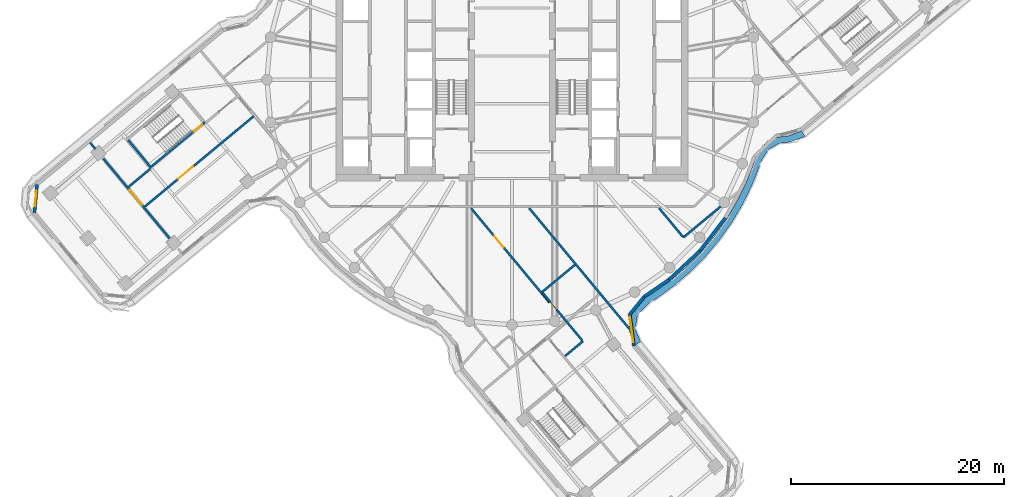
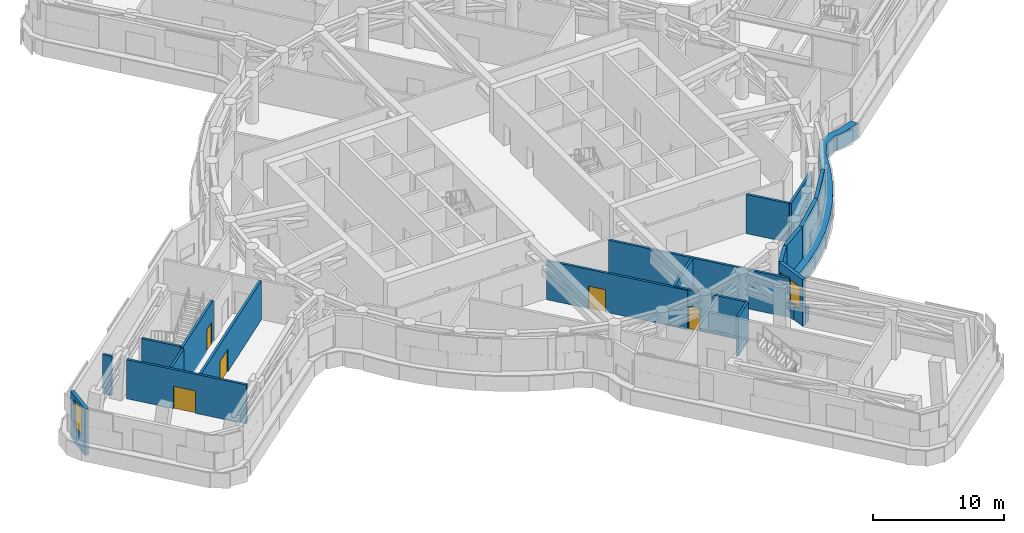
# One storey, part 8 of 22: 19 walls, 5 doors, 2 windows, 1 member, 7 openings.
"""IFC4 building model written with IfcOpenShell, lengths in metres."""

from ifc_helpers import new_model, si_unit, direction, frame, frame_2d, origin, place, context, subcontext, project, spatial, polyline, rectangle, outline, extrude, material, layer, layer_set, type_object, element, fill, aggregate, save


model = new_model("IFC4")

# Units and contexts
model_context = context("Model", 3, precision=1e-05, world=origin(), true_north=direction((0.0, 1.0)))
body_context = subcontext(model_context, "Body", "Model", "MODEL_VIEW")
ifc_project = project(units=[si_unit("LENGTHUNIT", "METRE"), si_unit("AREAUNIT", "SQUARE_METRE"), si_unit("VOLUMEUNIT", "CUBIC_METRE"), si_unit("PLANEANGLEUNIT", "RADIAN"), si_unit("MASSUNIT", "GRAM", prefix="KILO")], contexts=[model_context])

# Member
ifc_material_1 = material(Name="Aluminium and insulated spandrel panel", Category="aluminium")
member_type = type_object("IfcMemberType", Name="Floor-edge blade transom", PredefinedType="USERDEFINED", material=ifc_material_1)
site_placement = place(None, origin())
building_placement = place(site_placement, origin())
storey_placement = place(building_placement, frame((0.0, 0.0, 178.0)))
member_placement = place(storey_placement, origin())
member = element("IfcMember", 1, at=member_placement, type_object=member_type, Name="CWT-L44-06", ObjectType="TRANSOM", PredefinedType="USERDEFINED", context=body_context, shape_type="SweptSolid", body=[
    extrude(outline(polyline([(11.555419921875, -24.895263671875), (11.05517578125, -23.729248046875), (10.989990234375, -23.177490234375), (11.180419921875, -22.070556640625), (11.426025390625, -21.572021484375), (12.508544921875, -20.46044921875), (13.2109375, -20.031982421875), (14.820068359375, -18.87255859375), (16.327880859375, -17.584228515625), (17.72412109375, -16.17578125), (18.99951171875, -14.656982421875), (20.14501953125, -13.0380859375), (21.15283203125, -11.329833984375), (22.01611328125, -9.54443359375), (22.703857421875, -7.7724609375), (22.8828125, -7.268798828125), (23.691162109375, -6.056640625), (24.85693359375, -5.391357421875), (25.955322265625, -5.250732421875), (27.18896484375, -4.7900390625), (27.494140625, -5.316650390625), (26.100341796875, -5.837158203125), (25.051025390625, -5.971435546875), (24.11181640625, -6.50732421875), (23.42333984375, -7.539794921875), (23.266357421875, -7.9814453125), (22.566650390625, -9.783935546875), (21.68212890625, -11.613525390625), (20.64892578125, -13.3642578125), (19.474853515625, -15.023681640625), (18.167724609375, -16.580810546875), (16.736572265625, -18.0244140625), (15.19091796875, -19.344970703125), (13.54296875, -20.5322265625), (12.885498046875, -20.93310546875), (11.922119140625, -21.922607421875), (11.757080078125, -22.2578125), (11.59619140625, -23.193359375), (11.640869140625, -23.572509765625), (12.072998046875, -24.57958984375), (11.555419921875, -24.895263671875)])), origin(), (0.0, 0.0, 1.0), 1.39990234375),
])

# Site, building, storey
site = spatial("IfcSite", under=ifc_project, at=site_placement, CompositionType="ELEMENT")
building = spatial("IfcBuilding", under=site, at=building_placement, Name="Tamarind Cross Interchange Tower", CompositionType="ELEMENT")
storey = spatial("IfcBuildingStorey", under=building, at=storey_placement, Name="L44", CompositionType="ELEMENT", Elevation=178.0)

# Wall
ifc_material_2 = material(Name="Gypsum board partition on steel studs", Category="steel")
ifc_layer_1 = layer(ifc_material_2, 0.199951171875)
ifc_layer_set_1 = layer_set([ifc_layer_1], Name="Gypsum board partition on steel studs")
wall_type_1 = type_object("IfcWallType", Name="Partition 200 mm EI 180", PredefinedType="PARTITIONING", material=ifc_layer_set_1)
wall_1_placement = place(storey_placement, frame((-39.589111328125, -5.89697265625, 0.0), z_axis=(0.0, 0.0, 1.0), x_axis=(0.638794795344, -0.769377156823, 0.0)))
element("IfcWall", 2, at=wall_1_placement, inside=storey, type_object=wall_type_1, Name="Partition L44-001", PredefinedType="PARTITIONING", context=body_context, shape_type="SweptSolid", body=[
    extrude(rectangle(XDim=0.760986328125, YDim=0.199951171875, at=frame_2d((0.38037109375, 0.0))), origin(), (0.0, 0.0, 1.0), 3.659912109375),
])

# Wall, opening, door
wall_2_placement = place(storey_placement, frame((-38.34716796875, -7.392822265625, 0.0), z_axis=(0.0, 0.0, 1.0), x_axis=(0.638809774068, -0.769364720114, 0.0)))
wall_2 = element("IfcWall", 3, at=wall_2_placement, inside=storey, type_object=wall_type_1, Name="Partition L44-002", PredefinedType="PARTITIONING", context=body_context, shape_type="SweptSolid", body=[
    extrude(rectangle(XDim=9.8251953125, YDim=0.199951171875, at=frame_2d((4.91259765625, 0.0))), origin(), (0.0, 0.0, 1.0), 3.659912109375),
])
opening_1_placement = place(wall_2_placement, frame((3.8544921875, 0.0, 0.0)))
opening_1 = element("IfcOpeningElement", 4, at=opening_1_placement, cuts=wall_2, Name="Opening D01", PredefinedType="OPENING", context=body_context, shape_type="SweptSolid", body=[
    extrude(rectangle(XDim=1.800048828125, YDim=2.10009765625, at=frame_2d((0.89990234375, 1.050048828125))), frame((0.0, 0.10986328125, 0.0), z_axis=(0.0, -1.0, 0.0), x_axis=(1.0, 0.0, 0.0)), (0.0, 0.0, 1.0), 0.219970703125),
])
ifc_material_3 = material(Name="Fire-resisting door set")
door_type_1 = type_object("IfcDoorType", Name="Interior door 1800 x 2100 FD120S", OperationType="DOUBLE_DOOR_SINGLE_SWING", PredefinedType="DOOR", material=ifc_material_3)
door_1_placement = place(opening_1_placement, frame((1.800048828125, 0.0, 0.0), z_axis=(0.0, 0.0, 1.0), x_axis=(-1.0, 0.0, 0.0)))
door_1 = element("IfcDoor", 5, at=door_1_placement, inside=storey, type_object=door_type_1, Name="Door D01", OperationType="DOUBLE_DOOR_SINGLE_SWING", OverallHeight=2.10009765625, OverallWidth=1.800048828125, PredefinedType="DOOR", context=body_context, shape_type="SweptSolid", body=[
    extrude(rectangle(XDim=1.800048828125, YDim=2.10009765625, at=frame_2d((0.89990234375, 1.050048828125))), frame((0.0, 0.02490234375, 0.0), z_axis=(0.0, -1.0, 0.0), x_axis=(1.0, 0.0, 0.0)), (0.0, 0.0, 1.0), 0.050048828125),
])
fill(opening_1, door_1)

wall_3_placement = place(storey_placement, frame((-3.845703125, -12.046142578125, 0.0), z_axis=(0.0, 0.0, 1.0), x_axis=(0.638815290813, -0.769360139482, 0.0)))
wall_3 = element("IfcWall", 6, at=wall_3_placement, inside=storey, type_object=wall_type_1, Name="Partition L44-015", PredefinedType="PARTITIONING", context=body_context, shape_type="SweptSolid", body=[
    extrude(rectangle(XDim=11.5146484375, YDim=0.199951171875, at=frame_2d((5.75732421875, 0.0))), origin(), (0.0, 0.0, 1.0), 3.659912109375),
])
opening_2_placement = place(wall_3_placement, frame((3.409912109375, 0.0, 0.0)))
opening_2 = element("IfcOpeningElement", 7, at=opening_2_placement, cuts=wall_3, Name="Opening D08", PredefinedType="OPENING", context=body_context, shape_type="SweptSolid", body=[
    extrude(rectangle(XDim=1.39990234375, YDim=2.10009765625, at=frame_2d((0.699951171875, 1.050048828125))), frame((0.0, 0.10986328125, 0.0), z_axis=(0.0, -1.0, 0.0), x_axis=(1.0, 0.0, 0.0)), (0.0, 0.0, 1.0), 0.219970703125),
])
door_type_2 = type_object("IfcDoorType", Name="Interior door 1400 x 2100 FD120S", OperationType="DOUBLE_DOOR_SINGLE_SWING", PredefinedType="DOOR", material=ifc_material_3)
door_2_placement = place(opening_2_placement, origin())
door_2 = element("IfcDoor", 8, at=door_2_placement, inside=storey, type_object=door_type_2, Name="Door D08", OperationType="DOUBLE_DOOR_SINGLE_SWING", OverallHeight=2.10009765625, OverallWidth=1.39990234375, PredefinedType="DOOR", context=body_context, shape_type="SweptSolid", body=[
    extrude(rectangle(XDim=1.39990234375, YDim=2.10009765625, at=frame_2d((0.699951171875, 1.050048828125))), frame((0.0, 0.02490234375, 0.0), z_axis=(0.0, -1.0, 0.0), x_axis=(1.0, 0.0, 0.0)), (0.0, 0.0, 1.0), 0.050048828125),
])
fill(opening_2, door_2)

# Wall
wall_4_placement = place(storey_placement, frame((1.61328125, -12.046142578125, 0.0), z_axis=(0.0, 0.0, 1.0), x_axis=(0.638827392593, -0.769350090968, 0.0)))
element("IfcWall", 9, at=wall_4_placement, inside=storey, type_object=wall_type_1, Name="Partition L44-019", PredefinedType="PARTITIONING", context=body_context, shape_type="SweptSolid", body=[
    extrude(rectangle(XDim=14.804931640625, YDim=0.199951171875, at=frame_2d((7.40234375, 0.0))), origin(), (0.0, 0.0, 1.0), 3.659912109375),
])

# Wall, opening, door
wall_5_placement = place(storey_placement, frame((2.8720703125, -19.9794921875, 0.0), z_axis=(0.0, 0.0, 1.0), x_axis=(0.638623217881, -0.769519581026, 0.0)))
wall_5 = element("IfcWall", 10, at=wall_5_placement, inside=storey, type_object=wall_type_1, Name="Partition L44-022", PredefinedType="PARTITIONING", context=body_context, shape_type="SweptSolid", body=[
    extrude(rectangle(XDim=5.8193359375, YDim=0.199951171875, at=frame_2d((2.90966796875, 0.0))), origin(), (0.0, 0.0, 1.0), 3.659912109375),
])
opening_3_placement = place(wall_5_placement, frame((1.1689453125, 0.0, 0.0)))
opening_3 = element("IfcOpeningElement", 11, at=opening_3_placement, cuts=wall_5, Name="Opening D12", PredefinedType="OPENING", context=body_context, shape_type="SweptSolid", body=[
    extrude(rectangle(XDim=0.89990234375, YDim=2.10009765625, at=frame_2d((0.449951171875, 1.050048828125))), frame((0.0, 0.10986328125, 0.0), z_axis=(0.0, -1.0, 0.0), x_axis=(1.0, 0.0, 0.0)), (0.0, 0.0, 1.0), 0.219970703125),
])
door_type_3 = type_object("IfcDoorType", Name="Interior door 900 x 2100 FD120S", OperationType="SINGLE_SWING_LEFT", PredefinedType="DOOR", material=ifc_material_3)
door_3_placement = place(opening_3_placement, origin())
door_3 = element("IfcDoor", 12, at=door_3_placement, inside=storey, type_object=door_type_3, Name="Door D12", OperationType="SINGLE_SWING_RIGHT", OverallHeight=2.10009765625, OverallWidth=0.89990234375, PredefinedType="DOOR", context=body_context, shape_type="SweptSolid", body=[
    extrude(rectangle(XDim=0.89990234375, YDim=2.10009765625, at=frame_2d((0.449951171875, 1.050048828125))), frame((0.0, 0.02490234375, 0.0), z_axis=(0.0, -1.0, 0.0), x_axis=(1.0, 0.0, 0.0)), (0.0, 0.0, 1.0), 0.050048828125),
])
fill(opening_3, door_3)

# Walls
wall_6_placement = place(storey_placement, frame((13.805419921875, -12.046142578125, 0.0), z_axis=(0.0, 0.0, 1.0), x_axis=(0.638867992046, -0.769316377532, 0.0)))
element("IfcWall", 13, at=wall_6_placement, inside=storey, type_object=wall_type_1, Name="Partition L44-026", PredefinedType="PARTITIONING", context=body_context, shape_type="SweptSolid", body=[
    extrude(rectangle(XDim=3.48681640625, YDim=0.199951171875, at=frame_2d((1.743408203125, 0.0))), origin(), (0.0, 0.0, 1.0), 3.659912109375),
])
wall_7_placement = place(storey_placement, frame((-35.984619140625, -10.05126953125, 0.0), z_axis=(0.0, 0.0, 1.0), x_axis=(0.769364441254, 0.638810109918, 0.0)))
element("IfcWall", 14, at=wall_7_placement, inside=storey, type_object=wall_type_1, Name="Partition L44-036", PredefinedType="PARTITIONING", context=body_context, shape_type="SweptSolid", body=[
    extrude(rectangle(XDim=2.640380859375, YDim=0.199951171875, at=frame_2d((1.3203125, 0.0))), origin(), (0.0, 0.0, 1.0), 3.659912109375),
])

# Wall, opening, door
wall_8_placement = place(storey_placement, frame((-34.45166015625, -11.8974609375, 0.0), z_axis=(0.0, 0.0, 1.0), x_axis=(0.769410395732, 0.638754759622, 0.0)))
wall_8 = element("IfcWall", 15, at=wall_8_placement, inside=storey, type_object=wall_type_1, Name="Partition L44-038", PredefinedType="PARTITIONING", context=body_context, shape_type="SweptSolid", body=[
    extrude(rectangle(XDim=13.280029296875, YDim=0.199951171875, at=frame_2d((6.64013671875, 0.0))), origin(), (0.0, 0.0, 1.0), 3.659912109375),
])
opening_4_placement = place(wall_8_placement, frame((4.080078125, 0.0, 0.0)))
opening_4 = element("IfcOpeningElement", 16, at=opening_4_placement, cuts=wall_8, Name="Opening D24", PredefinedType="OPENING", context=body_context, shape_type="SweptSolid", body=[
    extrude(rectangle(XDim=1.800048828125, YDim=2.10009765625, at=frame_2d((0.89990234375, 1.050048828125))), frame((0.0, 0.10986328125, 0.0), z_axis=(0.0, -1.0, 0.0), x_axis=(1.0, 0.0, 0.0)), (0.0, 0.0, 1.0), 0.219970703125),
])
door_4_placement = place(opening_4_placement, frame((1.800048828125, 0.0, 0.0), z_axis=(0.0, 0.0, 1.0), x_axis=(-1.0, 0.0, 0.0)))
door_4 = element("IfcDoor", 17, at=door_4_placement, inside=storey, type_object=door_type_1, Name="Door D24", OperationType="DOUBLE_DOOR_SINGLE_SWING", OverallHeight=2.10009765625, OverallWidth=1.800048828125, PredefinedType="DOOR", context=body_context, shape_type="SweptSolid", body=[
    extrude(rectangle(XDim=1.800048828125, YDim=2.10009765625, at=frame_2d((0.89990234375, 1.050048828125))), frame((0.0, 0.02490234375, 0.0), z_axis=(0.0, -1.0, 0.0), x_axis=(1.0, 0.0, 0.0)), (0.0, 0.0, 1.0), 0.050048828125),
])
fill(opening_4, door_4)

# Walls
wall_9_placement = place(storey_placement, frame((2.82177734375, -19.9189453125, 0.0), z_axis=(0.0, 0.0, 1.0), x_axis=(0.769480632916, 0.638670146137, 0.0)))
element("IfcWall", 18, at=wall_9_placement, inside=storey, type_object=wall_type_1, Name="Partition L44-051", PredefinedType="PARTITIONING", context=body_context, shape_type="SweptSolid", body=[
    extrude(rectangle(XDim=3.99951171875, YDim=0.199951171875, at=frame_2d((1.999755859375, 0.0))), origin(), (0.0, 0.0, 1.0), 3.659912109375),
])
wall_10_placement = place(storey_placement, frame((4.9609375, -25.939208984375, 0.0), z_axis=(0.0, 0.0, 1.0), x_axis=(0.769302832242, 0.638884302753, 0.0)))
element("IfcWall", 19, at=wall_10_placement, inside=storey, type_object=wall_type_1, Name="Partition L44-054", PredefinedType="PARTITIONING", context=body_context, shape_type="SweptSolid", body=[
    extrude(rectangle(XDim=2.199462890625, YDim=0.199951171875, at=frame_2d((1.099609375, 0.0))), origin(), (0.0, 0.0, 1.0), 3.659912109375),
])
wall_11_placement = place(storey_placement, frame((16.083984375, -14.7900390625, 0.0), z_axis=(0.0, 0.0, 1.0), x_axis=(0.769412364041, 0.638752388693, 0.0)))
element("IfcWall", 20, at=wall_11_placement, inside=storey, type_object=wall_type_1, Name="Partition L44-059", PredefinedType="PARTITIONING", context=body_context, shape_type="SweptSolid", body=[
    extrude(rectangle(XDim=4.564697265625, YDim=0.199951171875, at=frame_2d((2.2822265625, 0.0))), origin(), (0.0, 0.0, 1.0), 3.659912109375),
])

# Wall, opening, window
ifc_material_4 = material(Name="Precast concrete C40", Category="concrete")
ifc_layer_2 = layer(ifc_material_4, 0.300048828125)
ifc_layer_set_2 = layer_set([ifc_layer_2], Name="Precast concrete C40")
wall_type_2 = type_object("IfcWallType", Name="Plant louvre wall", PredefinedType="SOLIDWALL", material=ifc_layer_set_2)
wall_12_placement = place(storey_placement, frame((11.426025390625, -24.97412109375, 0.0), z_axis=(0.0, 0.0, 1.0), x_axis=(-0.131008347573, 0.991381265138, 0.0)))
wall_12 = element("IfcWall", 21, at=wall_12_placement, inside=storey, type_object=wall_type_2, Name="EXW-L44-06-00", PredefinedType="SOLIDWALL", context=body_context, shape_type="SweptSolid", body=[
    extrude(rectangle(XDim=2.97607421875, YDim=0.300048828125, at=frame_2d((1.488037109375, 0.0))), origin(), (0.0, 0.0, 1.0), 4.360107421875),
])
opening_5_placement = place(wall_12_placement, frame((0.35009765625, 0.0, 1.39990234375)))
opening_5 = element("IfcOpeningElement", 22, at=opening_5_placement, cuts=wall_12, Name="Opening W3", PredefinedType="OPENING", context=body_context, shape_type="SweptSolid", body=[
    extrude(rectangle(XDim=2.39990234375, YDim=2.10009765625, at=frame_2d((1.199951171875, 1.050048828125))), frame((0.0, 0.159912109375, 0.0), z_axis=(0.0, -1.0, 0.0), x_axis=(1.0, 0.0, 0.0)), (0.0, 0.0, 1.0), 0.320068359375),
])
ifc_material_5 = material(Name="Aluminium and fire-resisting glass", Category="aluminium")
window_type_1 = type_object("IfcWindowType", Name="Refuge rescue window", PartitioningType="DOUBLE_PANEL_VERTICAL", PredefinedType="WINDOW", material=ifc_material_5)
window_1_placement = place(opening_5_placement, origin())
window_1 = element("IfcWindow", 23, at=window_1_placement, inside=storey, type_object=window_type_1, Name="RSW-L44-06-08", OverallHeight=2.10009765625, OverallWidth=2.39990234375, PartitioningType="SINGLE_PANEL", PredefinedType="WINDOW", context=body_context, shape_type="SweptSolid", body=[
    extrude(rectangle(XDim=2.39990234375, YDim=2.10009765625, at=frame_2d((1.199951171875, 1.050048828125))), frame((0.0, 0.030029296875, 0.0), z_axis=(0.0, -1.0, 0.0), x_axis=(1.0, 0.0, 0.0)), (0.0, 0.0, 1.0), 0.06005859375),
])
fill(opening_5, window_1)

aggregate(wall_12, [member])

# Walls
wall_13_placement = place(storey_placement, frame((11.0361328125, -22.023681640625, 0.0), z_axis=(0.0, 0.0, 1.0), x_axis=(0.633922449178, 0.773396617802, 0.0)))
element("IfcWall", 24, at=wall_13_placement, inside=storey, type_object=wall_type_2, Name="EXW-L44-06-01", PredefinedType="SOLIDWALL", context=body_context, shape_type="SweptSolid", body=[
    extrude(rectangle(XDim=2.174072265625, YDim=0.300048828125, at=frame_2d((1.0869140625, 0.0))), origin(), (0.0, 0.0, 1.0), 4.360107421875),
])
wall_14_placement = place(storey_placement, frame((12.414306640625, -20.34228515625, 0.0), z_axis=(0.0, 0.0, 1.0), x_axis=(0.824422592499, 0.56597472468, 0.0)))
element("IfcWall", 25, at=wall_14_placement, inside=storey, type_object=wall_type_2, Name="EXW-L44-06-02", PredefinedType="SOLIDWALL", context=body_context, shape_type="SweptSolid", body=[
    extrude(rectangle(XDim=2.8056640625, YDim=0.300048828125, at=frame_2d((1.40283203125, 0.0))), origin(), (0.0, 0.0, 1.0), 4.360107421875),
])
wall_15_placement = place(storey_placement, frame((14.727294921875, -18.75439453125, 0.0), z_axis=(0.0, 0.0, 1.0), x_axis=(0.732813362883, 0.680429698926, 0.0)))
element("IfcWall", 26, at=wall_15_placement, inside=storey, type_object=wall_type_2, Name="EXW-L44-06-03", PredefinedType="SOLIDWALL", context=body_context, shape_type="SweptSolid", body=[
    extrude(rectangle(XDim=3.938232421875, YDim=0.300048828125, at=frame_2d((1.96923828125, 0.0))), origin(), (0.0, 0.0, 1.0), 4.360107421875),
])
wall_16_placement = place(storey_placement, frame((17.61328125, -16.07470703125, 0.0), z_axis=(0.0, 0.0, 1.0), x_axis=(0.610785688376, 0.79179596038, 0.0)))
element("IfcWall", 27, at=wall_16_placement, inside=storey, type_object=wall_type_2, Name="EXW-L44-06-04", PredefinedType="SOLIDWALL", context=body_context, shape_type="SweptSolid", body=[
    extrude(rectangle(XDim=3.9384765625, YDim=0.300048828125, at=frame_2d((1.96923828125, 0.0))), origin(), (0.0, 0.0, 1.0), 4.360107421875),
])

# Wall, opening, window
wall_17_placement = place(storey_placement, frame((-44.572265625, -9.838134765625, 0.0), z_axis=(0.0, 0.0, 1.0), x_axis=(-0.092333837784, -0.995728106664, 0.0)))
wall_17 = element("IfcWall", 28, at=wall_17_placement, inside=storey, type_object=wall_type_2, Name="EXW-L44-15-01", PredefinedType="SOLIDWALL", context=body_context, shape_type="SweptSolid", body=[
    extrude(rectangle(XDim=2.64404296875, YDim=0.300048828125, at=frame_2d((1.322021484375, 0.0))), origin(), (0.0, 0.0, 1.0), 4.360107421875),
])
opening_6_placement = place(wall_17_placement, frame((0.60009765625, 0.0, 1.39990234375)))
opening_6 = element("IfcOpeningElement", 29, at=opening_6_placement, cuts=wall_17, Name="Opening W2", PredefinedType="OPENING", context=body_context, shape_type="SweptSolid", body=[
    extrude(rectangle(XDim=1.4443359375, YDim=2.60009765625, at=frame_2d((0.72216796875, 1.300048828125))), frame((0.0, 0.159912109375, 0.0), z_axis=(0.0, -1.0, 0.0), x_axis=(1.0, 0.0, 0.0)), (0.0, 0.0, 1.0), 0.320068359375),
])
ifc_material_6 = material(Name="Aluminium louvre", Category="aluminium")
window_type_2 = type_object("IfcWindowType", Name="Plant louvre bank", PartitioningType="SINGLE_PANEL", PredefinedType="WINDOW", material=ifc_material_6)
window_2_placement = place(opening_6_placement, origin())
window_2 = element("IfcWindow", 30, at=window_2_placement, inside=storey, type_object=window_type_2, Name="WIN-L44-15-01", OverallHeight=2.60009765625, OverallWidth=1.4443359375, PartitioningType="SINGLE_PANEL", PredefinedType="WINDOW", context=body_context, shape_type="SweptSolid", body=[
    extrude(rectangle(XDim=1.4443359375, YDim=2.60009765625, at=frame_2d((0.72216796875, 1.300048828125))), frame((0.0, 0.030029296875, 0.0), z_axis=(0.0, -1.0, 0.0), x_axis=(1.0, 0.0, 0.0)), (0.0, 0.0, 1.0), 0.06005859375),
])
fill(opening_6, window_2)

# Wall, opening, door
ifc_material_7 = material(Name="Concrete C40", Category="concrete")
ifc_layer_3 = layer(ifc_material_7, 0.199951171875)
ifc_layer_set_3 = layer_set([ifc_layer_3], Name="Concrete C40")
wall_type_3 = type_object("IfcWallType", Name="Stair shaft wall 200 mm Concrete C40", PredefinedType="SHEAR", material=ifc_layer_set_3)
wall_18_placement = place(storey_placement, frame((-28.83154296875, -3.982421875, -0.179931640625), z_axis=(0.0, 0.0, 1.0), x_axis=(-0.769366970134, -0.638807064196, 0.0)))
wall_18 = element("IfcWall", 31, at=wall_18_placement, inside=storey, type_object=wall_type_3, Name="Core wall CWL-L44-ST5-H", PredefinedType="SHEAR", context=body_context, shape_type="SweptSolid", body=[
    extrude(rectangle(XDim=6.699951171875, YDim=0.199951171875, at=frame_2d((3.35009765625, 0.0))), origin(), (0.0, 0.0, 1.0), 3.94384765625),
])
opening_7_placement = place(wall_18_placement, frame((0.35009765625, 0.0, 0.0)))
opening_7 = element("IfcOpeningElement", 32, at=opening_7_placement, cuts=wall_18, Name="Opening ST5L44", PredefinedType="OPENING", context=body_context, shape_type="SweptSolid", body=[
    extrude(rectangle(XDim=1.0, YDim=2.10009765625, at=frame_2d((0.5, 1.050048828125))), frame((0.0, 0.10986328125, 0.0), z_axis=(0.0, -1.0, 0.0), x_axis=(1.0, 0.0, 0.0)), (0.0, 0.0, 1.0), 0.219970703125),
])
ifc_material_8 = material(Name="Steel, fire-resisting", Category="steel")
door_type_4 = type_object("IfcDoorType", Name="Core fire door 1000 x 2100 FD90", OperationType="SINGLE_SWING_LEFT", PredefinedType="DOOR", material=ifc_material_8)
door_5_placement = place(opening_7_placement, origin())
door_5 = element("IfcDoor", 33, at=door_5_placement, inside=storey, type_object=door_type_4, Name="L44 stair door ST5", OperationType="SINGLE_SWING_LEFT", OverallHeight=2.10009765625, OverallWidth=1.0, PredefinedType="DOOR", context=body_context, shape_type="SweptSolid", body=[
    extrude(rectangle(XDim=1.0, YDim=2.10009765625, at=frame_2d((0.5, 1.050048828125))), frame((0.0, 0.02490234375, 0.0), z_axis=(0.0, -1.0, 0.0), x_axis=(1.0, 0.0, 0.0)), (0.0, 0.0, 1.0), 0.050048828125),
])
fill(opening_7, door_5)

# Wall
wall_19_placement = place(storey_placement, frame((0.0, 0.0, -0.179931640625)))
element("IfcWall", 34, at=wall_19_placement, inside=storey, type_object=wall_type_3, Name="Core wall CWL-L44-ST5-CF", PredefinedType="SHEAR", context=body_context, shape_type="SweptSolid", body=[
    extrude(outline(polyline([(-35.9404296875, -5.595703125), (-36.094482421875, -5.723388671875), (-34.05029296875, -8.185546875), (-33.896484375, -8.0576171875), (-35.9404296875, -5.595703125)])), origin(), (0.0, 0.0, 1.0), 3.94384765625),
])

save(model, "model.ifc")
